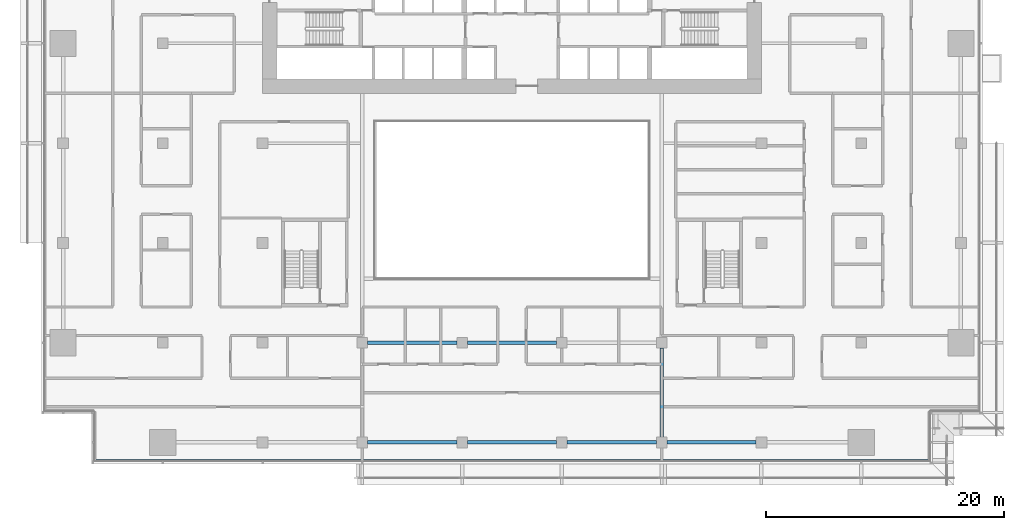
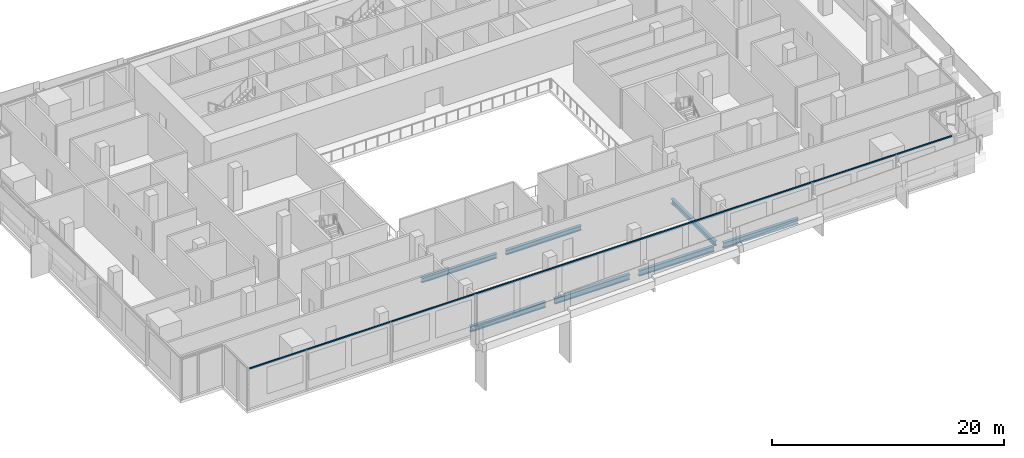
# One storey, part 3 of 24: 7 beams, 1 member, 1 element without a shape of its own.
"""IFC4 building model written with IfcOpenShell, lengths in metres."""

from ifc_helpers import new_model, si_unit, direction, frame, origin, origin_2d, place, context, subcontext, project, spatial, rectangle, i_section, extrude, material, material_profile, profile_set, type_object, element, aggregate, save


model = new_model("IFC4")

# Units and contexts
model_context = context("Model", 3, precision=1e-05, world=origin(), true_north=direction((0.0, 1.0)))
body_context = subcontext(model_context, "Body", "Model", "MODEL_VIEW")
ifc_project = project(units=[si_unit("LENGTHUNIT", "METRE"), si_unit("AREAUNIT", "SQUARE_METRE"), si_unit("VOLUMEUNIT", "CUBIC_METRE"), si_unit("PLANEANGLEUNIT", "RADIAN"), si_unit("MASSUNIT", "GRAM", prefix="KILO")], contexts=[model_context])

# Site, building, storey
site_placement = place(None, origin())
site = spatial("IfcSite", under=ifc_project, at=site_placement, CompositionType="ELEMENT")
building_placement = place(site_placement, origin())
building = spatial("IfcBuilding", under=site, at=building_placement, Name="Saffron Gate Tower", CompositionType="ELEMENT")
storey_placement = place(building_placement, frame((0.0, 0.0, 28.199951171875)))
storey = spatial("IfcBuildingStorey", under=building, at=storey_placement, Name="L05", CompositionType="ELEMENT", Elevation=28.199951171875)

# Beams
ifc_material_1 = material(Name="Structural steel S355", Category="steel")
ifc_material_profile_1 = material_profile(ifc_material_1, i_section(OverallWidth=0.300048828125, OverallDepth=0.590087890625, WebThickness=0.012939453125, FlangeThickness=0.02490234375, FilletRadius=0.027099609375, at=origin_2d()))
ifc_profile_set_1 = profile_set([ifc_material_profile_1], Name="Structural steel S355")
beam_type_1 = type_object("IfcBeamType", Name="B14 HEA 600", PredefinedType="SPANDREL", material=ifc_profile_set_1)
for number, where, z_axis, x_axis, name in (
    (1, (75.449951171875, 31.800048828125, -0.594970703125), (1.0, 0.0, 0.0), (0.0, 1.0, 0.0), "B14 SPANDREL BEAM"),
    (2, (83.85009765625, 31.800048828125, -0.594970703125), (1.0, 0.0, 0.0), (0.0, 1.0, 0.0), "B14 SPANDREL BEAM"),
    (3, (92.25, 31.800048828125, -0.594970703125), (1.0, 0.0, 0.0), (0.0, 1.0, 0.0), "B14 SPANDREL BEAM"),
    (4, (100.64990234375, 31.800048828125, -0.594970703125), (1.0, 0.0, 0.0), (0.0, 1.0, 0.0), "B14 SPANDREL BEAM"),
):
    element("IfcBeam", number, at=place(storey_placement, frame(where, z_axis=z_axis, x_axis=x_axis)), inside=storey, type_object=beam_type_1, Name=name, PredefinedType="SPANDREL", context=body_context, shape_type="SweptSolid", body=[
        extrude(i_section(OverallWidth=0.300048828125, OverallDepth=0.590087890625, WebThickness=0.012939453125, FlangeThickness=0.02490234375, FilletRadius=0.027099609375, at=origin_2d()), origin(), (0.0, 0.0, 1.0), 7.5),
    ])
ifc_material_profile_2 = material_profile(ifc_material_1, i_section(OverallWidth=0.300048828125, OverallDepth=0.5, WebThickness=0.014404296875, FlangeThickness=0.028076171875, FilletRadius=0.027099609375, at=origin_2d()))
ifc_profile_set_2 = profile_set([ifc_material_profile_2], Name="Structural steel S355")
beam_type_2 = type_object("IfcBeamType", Name="B9 HEB 500", PredefinedType="BEAM", material=ifc_profile_set_2)
for number, where, z_axis, x_axis, name in (
    (5, (100.199951171875, 32.25, -0.550048828125), (0.0, 1.0, 0.0), (-1.0, 0.0, 0.0), "B9 FLOOR GIRDER"),
    (6, (75.449951171875, 40.199951171875, -0.550048828125), (1.0, 0.0, 0.0), (0.0, 1.0, 0.0), "B9 FLOOR GIRDER"),
    (7, (83.85009765625, 40.199951171875, -0.550048828125), (1.0, 0.0, 0.0), (0.0, 1.0, 0.0), "B9 FLOOR GIRDER"),
):
    element("IfcBeam", number, at=place(storey_placement, frame(where, z_axis=z_axis, x_axis=x_axis)), inside=storey, type_object=beam_type_2, Name=name, PredefinedType="BEAM", context=body_context, shape_type="SweptSolid", body=[
        extrude(i_section(OverallWidth=0.300048828125, OverallDepth=0.5, WebThickness=0.014404296875, FlangeThickness=0.028076171875, FilletRadius=0.027099609375, at=origin_2d()), origin(), (0.0, 0.0, 1.0), 7.5),
    ])

# Curtain wall, member
ifc_material_2 = material(Name="Aluminium, bronze anodised", Category="aluminium")
curtain_wall_type = type_object("IfcCurtainWallType", Name="CWS6 curtain wall tall storeys", PredefinedType="NOTDEFINED", material=ifc_material_2)
curtain_wall_placement = place(storey_placement, origin())
curtain_wall = element("IfcCurtainWall", 8, at=curtain_wall_placement, inside=storey, type_object=curtain_wall_type, Name="CWS6 run 1", PredefinedType="NOTDEFINED")
ifc_material_profile_3 = material_profile(ifc_material_2, rectangle(XDim=0.1201171875, YDim=0.1201171875, at=origin_2d()))
ifc_profile_set_3 = profile_set([ifc_material_profile_3], Name="Aluminium, bronze anodised")
member_type = type_object("IfcMemberType", Name="CWS6 head transom", PredefinedType="USERDEFINED", material=ifc_profile_set_3)
member_placement = place(storey_placement, frame((52.60791015625, 30.2880859375, 4.14013671875), z_axis=(1.0, 0.0, 0.0), x_axis=(0.0, 1.0, 0.0)))
member = element("IfcMember", 9, at=member_placement, type_object=member_type, Name="CWS6 head transom", ObjectType="TRANSOM", PredefinedType="USERDEFINED", context=body_context, shape_type="SweptSolid", body=[
    extrude(rectangle(XDim=0.1201171875, YDim=0.1201171875, at=origin_2d()), origin(), (0.0, 0.0, 1.0), 69.984130859375),
])
aggregate(curtain_wall, [member])

save(model, "model.ifc")
